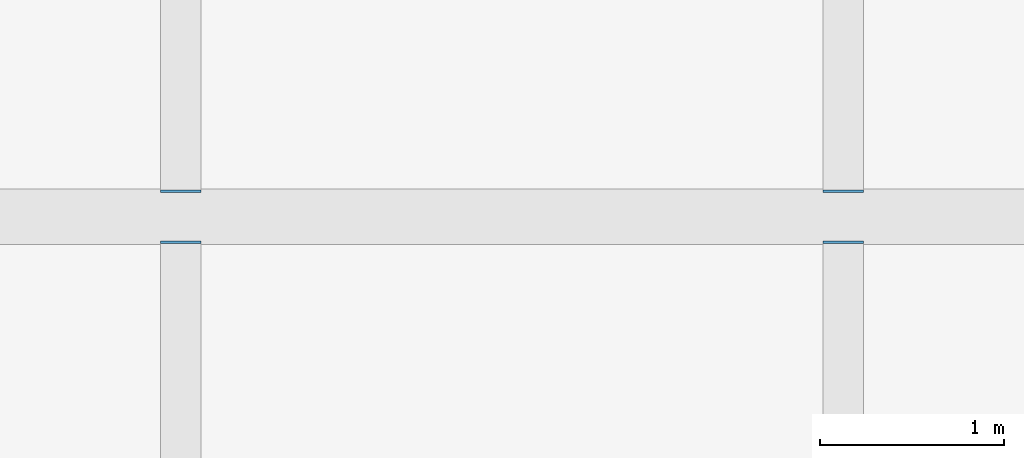
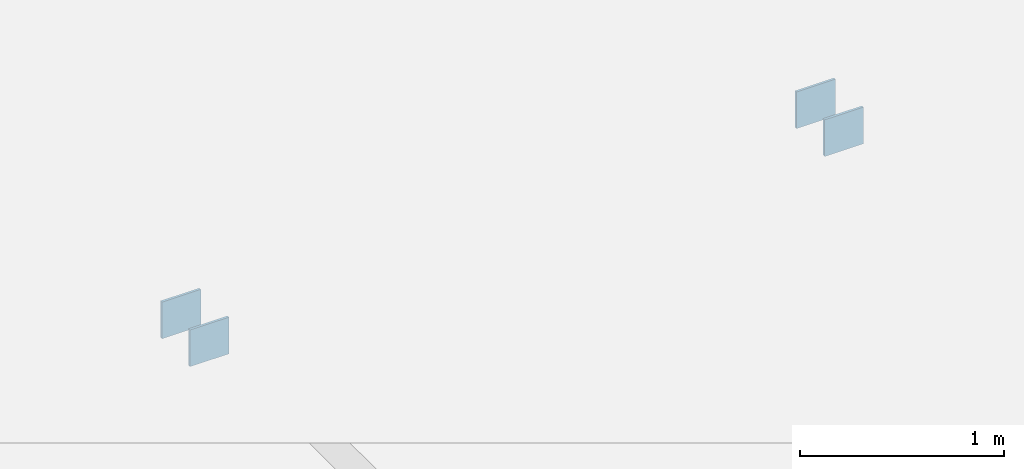
# One storey, part 78 of 100: 4 plates.
"""IFC4 building model written with IfcOpenShell, lengths in metres."""

from ifc_helpers import new_model, si_unit, direction, frame, origin, origin_2d, place, context, subcontext, project, spatial, rectangle, extrude, material, layer, layer_set, type_object, element, save


model = new_model("IFC4")

# Units and contexts
model_context = context("Model", 3, precision=1e-05, world=origin(), true_north=direction((0.0, 1.0)))
body_context = subcontext(model_context, "Body", "Model", "MODEL_VIEW")
ifc_project = project(units=[si_unit("LENGTHUNIT", "METRE"), si_unit("AREAUNIT", "SQUARE_METRE"), si_unit("VOLUMEUNIT", "CUBIC_METRE"), si_unit("PLANEANGLEUNIT", "RADIAN"), si_unit("MASSUNIT", "GRAM", prefix="KILO")], contexts=[model_context])

# Site, building, storey
site_placement = place(None, origin())
site = spatial("IfcSite", under=ifc_project, at=site_placement, CompositionType="ELEMENT")
building_placement = place(site_placement, origin())
building = spatial("IfcBuilding", under=site, at=building_placement, Name="Tasgan Crest Museum", CompositionType="ELEMENT")
storey_placement = place(building_placement, frame((0.0, 0.0, 9.60009765625)))
storey = spatial("IfcBuildingStorey", under=building, at=storey_placement, Name="L02", CompositionType="ELEMENT", Elevation=9.60009765625)

# Plates
ifc_material = material(Name="Steel S355K2", Category="steel")
ifc_layer = layer(ifc_material, 0.219970703125, Name="PL-CAP-14x220x220")
ifc_layer_set = layer_set([ifc_layer], Name="Steel S355K2")
plate_type = type_object("IfcPlateType", Name="PL-CAP-14x220x220", PredefinedType="USERDEFINED", material=ifc_layer_set)
for number, where, z_axis, x_axis, name in (
    (1, (57.60009765625, 71.862060546875, -0.4599609375), (0.0, 0.0, 1.0), (0.0, 1.0, 0.0), "End plate Secondary joist L02 X=57.6 Y=62.0-72.0 end B"),
    (2, (61.199951171875, 71.862060546875, -0.4599609375), (0.0, 0.0, 1.0), (0.0, 1.0, 0.0), "End plate Secondary joist L02 X=61.2 Y=62.0-72.0 end B"),
    (3, (57.60009765625, 72.137939453125, -0.4599609375), (0.0, 0.0, 1.0), (0.0, 1.0, 0.0), "End plate Secondary joist L02 X=57.6 Y=72.0-82.0 end A"),
    (4, (61.199951171875, 72.137939453125, -0.4599609375), (0.0, 0.0, 1.0), (0.0, 1.0, 0.0), "End plate Secondary joist L02 X=61.2 Y=72.0-82.0 end A"),
):
    element("IfcPlate", number, at=place(storey_placement, frame(where, z_axis=z_axis, x_axis=x_axis)), inside=storey, type_object=plate_type, Name=name, ObjectType="END PLATE", PredefinedType="USERDEFINED", context=body_context, shape_type="SweptSolid", body=[
        extrude(rectangle(XDim=0.013916015625, YDim=0.219970703125, at=origin_2d()), origin(), (0.0, 0.0, 1.0), 0.219970703125),
    ])

save(model, "model.ifc")
